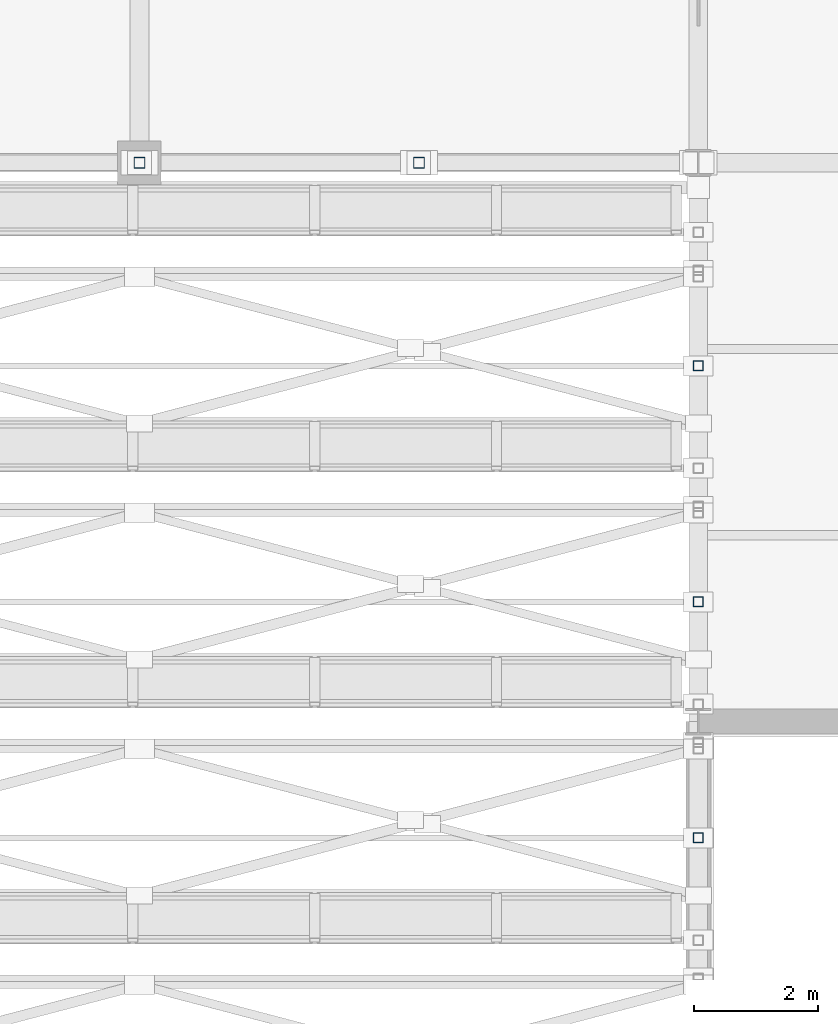
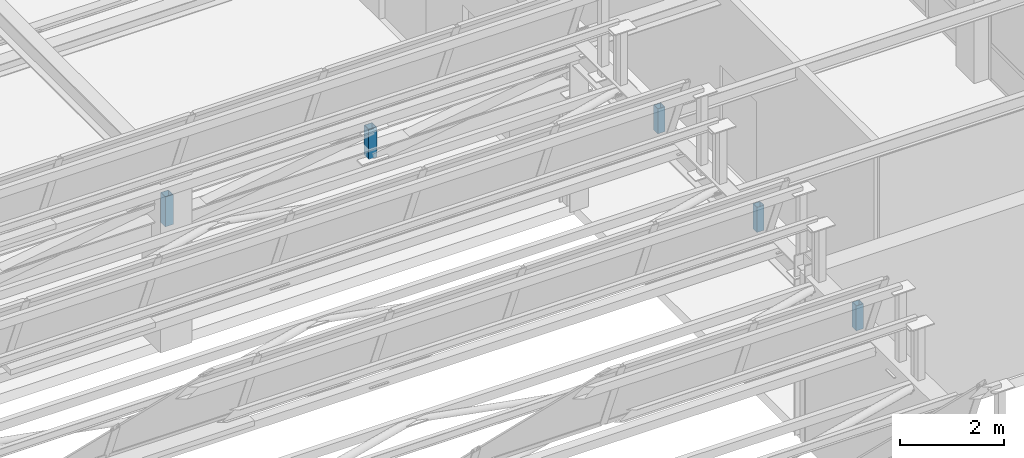
# One storey, part 77 of 108: 5 members.
"""IFC4 building model written with IfcOpenShell, lengths in metres."""

from ifc_helpers import new_model, si_unit, direction, frame, origin, origin_2d, place, context, subcontext, project, spatial, hollow_rectangle, extrude, material, material_profile, profile_set, type_object, element, save


model = new_model("IFC4")

# Units and contexts
model_context = context("Model", 3, precision=1e-05, world=origin(), true_north=direction((0.0, 1.0)))
body_context = subcontext(model_context, "Body", "Model", "MODEL_VIEW")
ifc_project = project(units=[si_unit("LENGTHUNIT", "METRE"), si_unit("AREAUNIT", "SQUARE_METRE"), si_unit("VOLUMEUNIT", "CUBIC_METRE"), si_unit("PLANEANGLEUNIT", "RADIAN"), si_unit("MASSUNIT", "GRAM", prefix="KILO")], contexts=[model_context])

# Site, building, storey
site_placement = place(None, origin())
site = spatial("IfcSite", under=ifc_project, at=site_placement, CompositionType="ELEMENT")
building_placement = place(site_placement, origin())
building = spatial("IfcBuilding", under=site, at=building_placement, Name="Lykobir Media Centre", CompositionType="ELEMENT")
storey_placement = place(building_placement, frame((0.0, 0.0, 15.0)))
storey = spatial("IfcBuildingStorey", under=building, at=storey_placement, Name="L03", CompositionType="ELEMENT", Elevation=15.0)

# Members
ifc_material = material(Name="Steel S355", Category="steel")
ifc_material_profile_1 = material_profile(ifc_material, hollow_rectangle(XDim=0.159912109375, YDim=0.159912109375, WallThickness=0.008056640625, at=origin_2d()), Name="SHS 160x160x8")
ifc_profile_set_1 = profile_set([ifc_material_profile_1], Name="Steel S355")
member_type_1 = type_object("IfcMemberType", Name="BR-SHS160", PredefinedType="BRACE", material=ifc_profile_set_1)
for number, where, z_axis, x_axis, name in (
    (1, (27.0, 16.127197265625, 3.699951171875), (0.0, 0.0, 1.0), (1.0, 0.0, 0.0), "Diagonal brace MEM2-L03-0270-0161-0187-0270-0161-0238"),
    (2, (27.0, 19.92724609375, 3.699951171875), (0.0, 0.0, 1.0), (1.0, 0.0, 0.0), "Diagonal brace MEM2-L03-0270-0199-0187-0270-0199-0258"),
    (3, (27.0, 23.727294921875, 3.699951171875), (0.0, 0.0, 1.0), (1.0, 0.0, 0.0), "Diagonal brace MEM2-L03-0270-0237-0187-0270-0237-0279"),
):
    element("IfcMember", number, at=place(storey_placement, frame(where, z_axis=z_axis, x_axis=x_axis)), inside=storey, type_object=member_type_1, Name=name, PredefinedType="BRACE", context=body_context, shape_type="SweptSolid", body=[
        extrude(hollow_rectangle(XDim=0.159912109375, YDim=0.159912109375, WallThickness=0.008056640625, at=origin_2d()), origin(), (0.0, 0.0, 1.0), 0.582763671875),
    ])
ifc_material_profile_2 = material_profile(ifc_material, hollow_rectangle(XDim=0.179931640625, YDim=0.179931640625, WallThickness=0.010009765625, at=origin_2d()), Name="SHS 180x180x10")
ifc_profile_set_2 = profile_set([ifc_material_profile_2], Name="Steel S355")
member_type_2 = type_object("IfcMemberType", Name="BR-SHS180", PredefinedType="BRACE", material=ifc_profile_set_2)
for number, where, z_axis, x_axis, name in (
    (4, (18.0, 27.0, 2.699951171875), (0.0, 0.0, 1.0), (1.0, 0.0, 0.0), "Diagonal brace MEM2-L03-0180-0270-0177-0180-0270-0106"),
    (5, (22.5, 27.0, 2.699951171875), (0.0, 0.0, 1.0), (1.0, 0.0, 0.0), "Diagonal brace MEM2-L03-0225-0270-0177-0225-0270-0108"),
):
    element("IfcMember", number, at=place(storey_placement, frame(where, z_axis=z_axis, x_axis=x_axis)), inside=storey, type_object=member_type_2, Name=name, PredefinedType="BRACE", context=body_context, shape_type="SweptSolid", body=[
        extrude(hollow_rectangle(XDim=0.179931640625, YDim=0.179931640625, WallThickness=0.010009765625, at=origin_2d()), origin(), (0.0, 0.0, 1.0), 0.699951171875),
    ])

save(model, "model.ifc")
